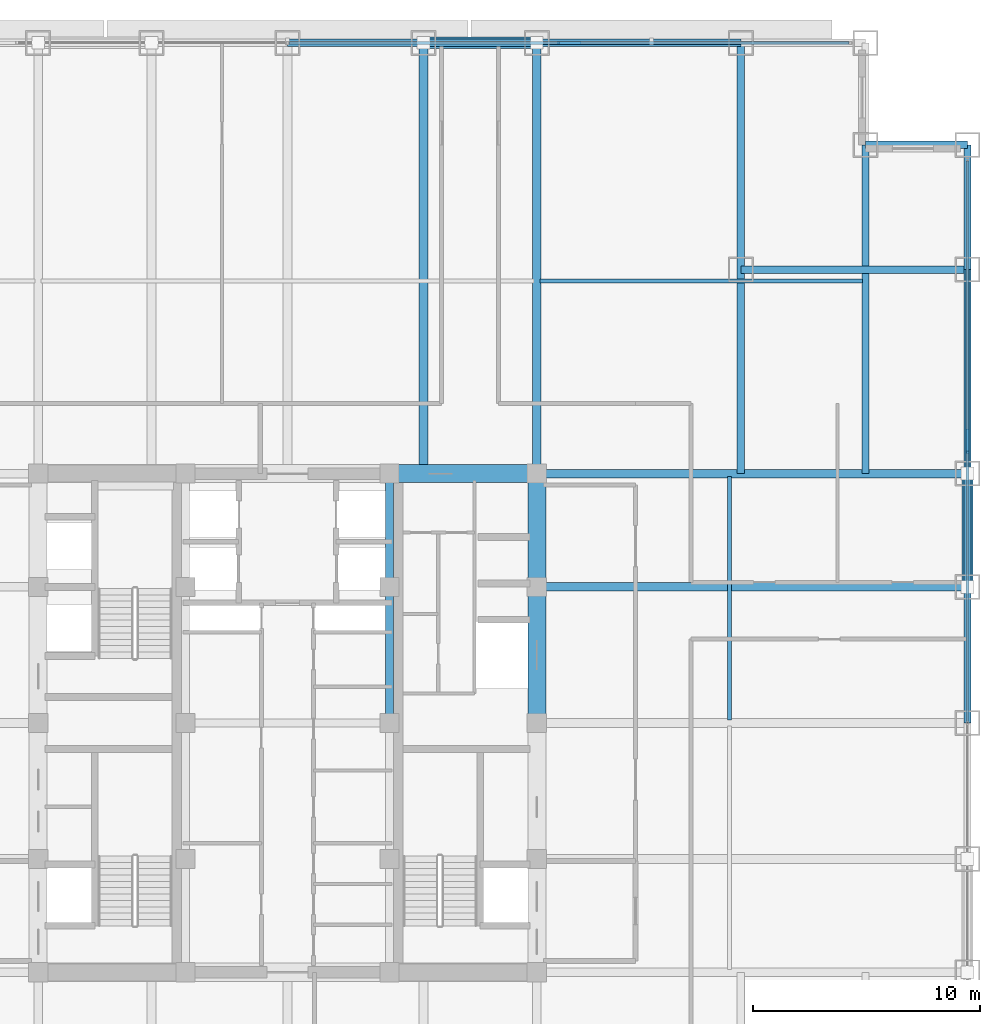
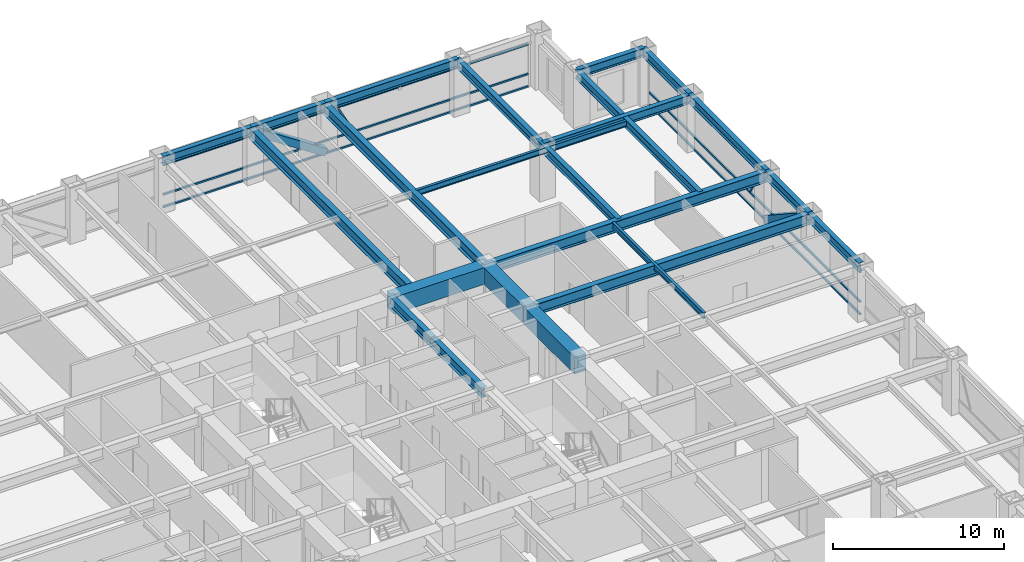
# One storey, part 17 of 28: 22 beams, 10 members, 2 elements without a shape of their own.
"""IFC4 building model written with IfcOpenShell, lengths in metres."""

from ifc_helpers import new_model, si_unit, direction, frame, origin, origin_2d, place, context, subcontext, project, spatial, rectangle, hollow_rectangle, i_section, extrude, source, transform, mapped, material, material_profile, profile_set, type_object, element, aggregate, save


model = new_model("IFC4")

# Units and contexts
model_context = context("Model", 3, precision=1e-05, world=origin(), true_north=direction((0.0, 1.0)))
body_context = subcontext(model_context, "Body", "Model", "MODEL_VIEW")
ifc_project = project(units=[si_unit("LENGTHUNIT", "METRE"), si_unit("AREAUNIT", "SQUARE_METRE"), si_unit("VOLUMEUNIT", "CUBIC_METRE"), si_unit("PLANEANGLEUNIT", "RADIAN"), si_unit("MASSUNIT", "GRAM", prefix="KILO")], contexts=[model_context])

# Site, building, storey
site_placement = place(None, origin())
site = spatial("IfcSite", under=ifc_project, at=site_placement, CompositionType="ELEMENT")
building_placement = place(site_placement, origin())
building = spatial("IfcBuilding", under=site, at=building_placement, Name="Khorayat Bourse Tower", CompositionType="ELEMENT")
storey_placement = place(building_placement, frame((0.0, 0.0, 191.10009765625)))
storey = spatial("IfcBuildingStorey", under=building, at=storey_placement, Name="L44", CompositionType="ELEMENT", Elevation=191.10009765625)

# Beams
ifc_material_1 = material(Name="Concrete C72/90", Category="concrete")
ifc_material_profile_1 = material_profile(ifc_material_1, rectangle(XDim=0.800048828125, YDim=1.199951171875, at=origin_2d()), Name="RC 800x1200")
ifc_profile_set_1 = profile_set([ifc_material_profile_1], Name="Concrete C72/90")
beam_type_1 = type_object("IfcBeamType", Name="BM-COUP-1200", PredefinedType="BEAM", material=ifc_profile_set_1)
shared_shape_1 = source(origin(), body_context, "Body", "SweptSolid", [
    extrude(rectangle(XDim=0.800048828125, YDim=1.199951171875, at=origin_2d()), origin(), (0.0, 0.0, 1.0), 5.0),
])
beam_1_placement = place(storey_placement, frame((11.0, 6.0, 3.179931640625), z_axis=(0.0, 1.0, 0.0), x_axis=(-1.0, 0.0, 0.0)))
element("IfcBeam", 1, at=beam_1_placement, inside=storey, type_object=beam_type_1, Name="L44 BM-COUP-1200 BM-L44-CRX-16", PredefinedType="BEAM", context=body_context, shape_type="MappedRepresentation", body=[
    mapped(shared_shape_1, transform((0.0, 0.0, 0.0), scale=1.0)),
])
shared_shape_2 = source(origin(), body_context, "Body", "SweptSolid", [
    extrude(rectangle(XDim=0.800048828125, YDim=1.199951171875, at=origin_2d()), origin(), (0.0, 0.0, 1.0), 6.0),
])
beam_2_placement = place(storey_placement, frame((11.0, 0.0, 3.179931640625), z_axis=(0.0, 1.0, 0.0), x_axis=(-1.0, 0.0, 0.0)))
element("IfcBeam", 2, at=beam_2_placement, inside=storey, type_object=beam_type_1, Name="L44 BM-COUP-1200 BM-L44-CRX-15", PredefinedType="BEAM", context=body_context, shape_type="MappedRepresentation", body=[
    mapped(shared_shape_2, transform((0.0, 0.0, 0.0), scale=1.0)),
])
ifc_material_2 = material(Name="Steel ASTM A992 Grade 50", Category="steel")
ifc_material_profile_2 = material_profile(ifc_material_2, i_section(OverallWidth=0.35498046875, OverallDepth=0.695068359375, WebThickness=0.015380859375, FlangeThickness=0.02490234375, FilletRadius=0.01806640625, at=origin_2d()), Name="W690X217")
ifc_profile_set_2 = profile_set([ifc_material_profile_2], Name="Steel ASTM A992 Grade 50")
beam_type_2 = type_object("IfcBeamType", Name="BM-GIRD-690", PredefinedType="BEAM", material=ifc_profile_set_2)
shared_shape_3 = source(origin(), body_context, "Body", "SweptSolid", [
    extrude(i_section(OverallWidth=0.35498046875, OverallDepth=0.695068359375, WebThickness=0.015380859375, FlangeThickness=0.02490234375, FilletRadius=0.01806640625, at=origin_2d()), origin(), (0.0, 0.0, 1.0), 5.0),
])
beam_3_placement = place(storey_placement, frame((4.5, 6.0, 3.432373046875), z_axis=(0.0, 1.0, 0.0), x_axis=(-1.0, 0.0, 0.0)))
element("IfcBeam", 3, at=beam_3_placement, inside=storey, type_object=beam_type_2, Name="L44 BM-GIRD-690 BM-L44-CRX-12", PredefinedType="BEAM", context=body_context, shape_type="MappedRepresentation", body=[
    mapped(shared_shape_3, transform((0.0, 0.0, 0.0), scale=1.0)),
])
shared_shape_4 = source(origin(), body_context, "Body", "SweptSolid", [
    extrude(i_section(OverallWidth=0.35498046875, OverallDepth=0.695068359375, WebThickness=0.015380859375, FlangeThickness=0.02490234375, FilletRadius=0.01806640625, at=origin_2d()), origin(), (0.0, 0.0, 1.0), 6.0),
])
beam_4_placement = place(storey_placement, frame((4.5, 0.0, 3.432373046875), z_axis=(0.0, 1.0, 0.0), x_axis=(-1.0, 0.0, 0.0)))
element("IfcBeam", 4, at=beam_4_placement, inside=storey, type_object=beam_type_2, Name="L44 BM-GIRD-690 BM-L44-CRX-11", PredefinedType="BEAM", context=body_context, shape_type="MappedRepresentation", body=[
    mapped(shared_shape_4, transform((0.0, 0.0, 0.0), scale=1.0)),
])
shared_shape_5 = source(origin(), body_context, "Body", "SweptSolid", [
    extrude(rectangle(XDim=0.800048828125, YDim=1.199951171875, at=origin_2d()), origin(), (0.0, 0.0, 1.0), 6.5),
])
beam_5_placement = place(storey_placement, frame((4.5, 11.0, 3.179931640625), z_axis=(1.0, 0.0, 0.0), x_axis=(0.0, 1.0, 0.0)))
element("IfcBeam", 5, at=beam_5_placement, inside=storey, type_object=beam_type_1, Name="L44 BM-COUP-1200 BM-L44-CRY-22", PredefinedType="BEAM", context=body_context, shape_type="MappedRepresentation", body=[
    mapped(shared_shape_5, transform((0.0, 0.0, 0.0), scale=1.0)),
])
ifc_material_profile_3 = material_profile(ifc_material_2, i_section(OverallWidth=0.381103515625, OverallDepth=0.77294921875, WebThickness=0.0166015625, FlangeThickness=0.027587890625, FilletRadius=0.01806640625, at=origin_2d()), Name="W760X257")
ifc_profile_set_3 = profile_set([ifc_material_profile_3], Name="Steel ASTM A992 Grade 50")
beam_type_3 = type_object("IfcBeamType", Name="BM-GIRD-760", PredefinedType="BEAM", material=ifc_profile_set_3)
shared_shape_6 = source(origin(), body_context, "Body", "SweptSolid", [
    extrude(i_section(OverallWidth=0.381103515625, OverallDepth=0.77294921875, WebThickness=0.0166015625, FlangeThickness=0.027587890625, FilletRadius=0.01806640625, at=origin_2d()), origin(), (0.0, 0.0, 1.0), 19.0),
])
for number, where, z_axis, x_axis, name in (
    (6, (6.0, 11.0, 3.393310546875), (0.0, 1.0, 0.0), (-1.0, 0.0, 0.0), "L44 BM-GIRD-760 BM-L44-RADY-070"),
    (7, (11.0, 11.0, 3.393310546875), (0.0, 1.0, 0.0), (-1.0, 0.0, 0.0), "L44 BM-GIRD-760 BM-L44-RADY-072"),
    (8, (11.0, 6.0, 3.393310546875), (1.0, 0.0, 0.0), (0.0, 1.0, 0.0), "L44 BM-GIRD-760 BM-L44-RADX-080"),
    (9, (11.0, 11.0, 3.393310546875), (1.0, 0.0, 0.0), (0.0, 1.0, 0.0), "L44 BM-GIRD-760 BM-L44-RADX-082"),
):
    element("IfcBeam", number, at=place(storey_placement, frame(where, z_axis=z_axis, x_axis=x_axis)), inside=storey, type_object=beam_type_3, Name=name, PredefinedType="BEAM", context=body_context, shape_type="MappedRepresentation", body=[
        mapped(shared_shape_6, transform((0.0, 0.0, 0.0), scale=1.0)),
    ])
ifc_material_profile_4 = material_profile(ifc_material_2, i_section(OverallWidth=0.324951171875, OverallDepth=0.615966796875, WebThickness=0.013916015625, FlangeThickness=0.021484375, FilletRadius=0.01611328125, at=origin_2d()), Name="W610X174")
ifc_profile_set_4 = profile_set([ifc_material_profile_4], Name="Steel ASTM A992 Grade 50")
beam_type_4 = type_object("IfcBeamType", Name="BM-GIRD-610", PredefinedType="BEAM", material=ifc_profile_set_4)
shared_shape_7 = source(origin(), body_context, "Body", "SweptSolid", [
    extrude(i_section(OverallWidth=0.324951171875, OverallDepth=0.615966796875, WebThickness=0.013916015625, FlangeThickness=0.021484375, FilletRadius=0.01611328125, at=origin_2d()), origin(), (0.0, 0.0, 1.0), 19.0),
])
beam_6_placement = place(storey_placement, frame((20.0, 11.0, 3.471923828125), z_axis=(0.0, 1.0, 0.0), x_axis=(-1.0, 0.0, 0.0)))
element("IfcBeam", 10, at=beam_6_placement, inside=storey, type_object=beam_type_4, Name="L44 BM-GIRD-610 BM-L44-CNRY-087", PredefinedType="BEAM", context=body_context, shape_type="MappedRepresentation", body=[
    mapped(shared_shape_7, transform((0.0, 0.0, 0.0), scale=1.0)),
])
shared_shape_8 = source(origin(), body_context, "Body", "SweptSolid", [
    extrude(i_section(OverallWidth=0.324951171875, OverallDepth=0.615966796875, WebThickness=0.013916015625, FlangeThickness=0.021484375, FilletRadius=0.01611328125, at=origin_2d()), origin(), (0.0, 0.0, 1.0), 14.5),
])
beam_7_placement = place(storey_placement, frame((25.5, 11.0, 3.471923828125), z_axis=(0.0, 1.0, 0.0), x_axis=(-1.0, 0.0, 0.0)))
element("IfcBeam", 11, at=beam_7_placement, inside=storey, type_object=beam_type_4, Name="L44 BM-GIRD-610 BM-L44-CNRY-091", PredefinedType="BEAM", context=body_context, shape_type="MappedRepresentation", body=[
    mapped(shared_shape_8, transform((0.0, 0.0, 0.0), scale=1.0)),
])
shared_shape_9 = source(origin(), body_context, "Body", "SweptSolid", [
    extrude(i_section(OverallWidth=0.324951171875, OverallDepth=0.615966796875, WebThickness=0.013916015625, FlangeThickness=0.021484375, FilletRadius=0.01611328125, at=origin_2d()), origin(), (0.0, 0.0, 1.0), 10.0),
])
beam_8_placement = place(storey_placement, frame((20.0, 20.0, 3.471923828125), z_axis=(1.0, 0.0, 0.0), x_axis=(0.0, 1.0, 0.0)))
element("IfcBeam", 12, at=beam_8_placement, inside=storey, type_object=beam_type_4, Name="L44 BM-GIRD-610 BM-L44-CNRX-094", PredefinedType="BEAM", context=body_context, shape_type="MappedRepresentation", body=[
    mapped(shared_shape_9, transform((0.0, 0.0, 0.0), scale=1.0)),
])
ifc_material_profile_5 = material_profile(ifc_material_2, i_section(OverallWidth=0.180908203125, OverallDepth=0.4169921875, WebThickness=0.010986328125, FlangeThickness=0.018310546875, FilletRadius=0.011962890625, at=origin_2d()), Name="W410X85")
ifc_profile_set_5 = profile_set([ifc_material_profile_5], Name="Steel ASTM A992 Grade 50")
beam_type_5 = type_object("IfcBeamType", Name="BM-JOIST-410", PredefinedType="JOIST", material=ifc_profile_set_5)
shared_shape_10 = source(origin(), body_context, "Body", "SweptSolid", [
    extrude(i_section(OverallWidth=0.180908203125, OverallDepth=0.4169921875, WebThickness=0.010986328125, FlangeThickness=0.018310546875, FilletRadius=0.011962890625, at=origin_2d()), origin(), (0.0, 0.0, 1.0), 14.240234375),
])
beam_9_placement = place(storey_placement, frame((11.1298828125, 19.5, 3.5712890625), z_axis=(1.0, 0.0, 0.0), x_axis=(0.0, 1.0, 0.0)))
element("IfcBeam", 13, at=beam_9_placement, inside=storey, type_object=beam_type_5, Name="L44 BM-JOIST-410 BM-L44-JSTX-101", PredefinedType="JOIST", context=body_context, shape_type="MappedRepresentation", body=[
    mapped(shared_shape_10, transform((0.0, 0.0, 0.0), scale=1.0)),
])
shared_shape_11 = source(origin(), body_context, "Body", "SweptSolid", [
    extrude(i_section(OverallWidth=0.180908203125, OverallDepth=0.4169921875, WebThickness=0.010986328125, FlangeThickness=0.018310546875, FilletRadius=0.011962890625, at=origin_2d()), origin(), (0.0, 0.0, 1.0), 10.740234375),
])
beam_10_placement = place(storey_placement, frame((19.5, 0.1298828125, 3.5712890625), z_axis=(0.0, 1.0, 0.0), x_axis=(-1.0, 0.0, 0.0)))
element("IfcBeam", 14, at=beam_10_placement, inside=storey, type_object=beam_type_5, Name="L44 BM-JOIST-410 BM-L44-JSTY-105", PredefinedType="JOIST", context=body_context, shape_type="MappedRepresentation", body=[
    mapped(shared_shape_11, transform((0.0, 0.0, 0.0), scale=1.0)),
])
ifc_material_profile_6 = material_profile(ifc_material_2, i_section(OverallWidth=0.324951171875, OverallDepth=0.615966796875, WebThickness=0.013916015625, FlangeThickness=0.021484375, FilletRadius=0.01611328125, at=origin_2d()), Name="W610X174")
ifc_profile_set_6 = profile_set([ifc_material_profile_6], Name="Steel ASTM A992 Grade 50")
beam_type_6 = type_object("IfcBeamType", Name="BM-SPAN-610", PredefinedType="SPANDREL", material=ifc_profile_set_6)
shared_shape_12 = source(origin(), body_context, "Body", "SweptSolid", [
    extrude(i_section(OverallWidth=0.324951171875, OverallDepth=0.615966796875, WebThickness=0.013916015625, FlangeThickness=0.021484375, FilletRadius=0.01611328125, at=origin_2d()), origin(), (0.0, 0.0, 1.0), 5.5),
])
beam_11_placement = place(storey_placement, frame((30.0, 20.0, 3.471923828125), z_axis=(0.0, 1.0, 0.0), x_axis=(-1.0, 0.0, 0.0)))
element("IfcBeam", 15, at=beam_11_placement, inside=storey, type_object=beam_type_6, Name="L44 BM-SPAN-610 BM-L44-SPN-041", PredefinedType="SPANDREL", context=body_context, shape_type="MappedRepresentation", body=[
    mapped(shared_shape_12, transform((0.0, 0.0, 0.0), scale=1.0)),
])
shared_shape_13 = source(origin(), body_context, "Body", "SweptSolid", [
    extrude(i_section(OverallWidth=0.324951171875, OverallDepth=0.615966796875, WebThickness=0.013916015625, FlangeThickness=0.021484375, FilletRadius=0.01611328125, at=origin_2d()), origin(), (0.0, 0.0, 1.0), 9.0),
])
for number, where, z_axis, x_axis, name in (
    (16, (30.0, 11.0, 3.471923828125), (0.0, 1.0, 0.0), (-1.0, 0.0, 0.0), "L44 BM-SPAN-610 BM-L44-SPN-040"),
    (17, (11.0, 30.0, 3.471923828125), (1.0, 0.0, 0.0), (0.0, 1.0, 0.0), "L44 BM-SPAN-610 BM-L44-SPN-045"),
):
    element("IfcBeam", number, at=place(storey_placement, frame(where, z_axis=z_axis, x_axis=x_axis)), inside=storey, type_object=beam_type_6, Name=name, PredefinedType="SPANDREL", context=body_context, shape_type="MappedRepresentation", body=[
        mapped(shared_shape_13, transform((0.0, 0.0, 0.0), scale=1.0)),
    ])
shared_shape_14 = source(origin(), body_context, "Body", "SweptSolid", [
    extrude(i_section(OverallWidth=0.324951171875, OverallDepth=0.615966796875, WebThickness=0.013916015625, FlangeThickness=0.021484375, FilletRadius=0.01611328125, at=origin_2d()), origin(), (0.0, 0.0, 1.0), 5.0),
])
for number, where, z_axis, x_axis, name in (
    (18, (30.0, 6.0, 3.471923828125), (0.0, 1.0, 0.0), (-1.0, 0.0, 0.0), "L44 BM-SPAN-610 BM-L44-SPN-039"),
    (19, (6.0, 30.0, 3.471923828125), (1.0, 0.0, 0.0), (0.0, 1.0, 0.0), "L44 BM-SPAN-610 BM-L44-SPN-046"),
):
    element("IfcBeam", number, at=place(storey_placement, frame(where, z_axis=z_axis, x_axis=x_axis)), inside=storey, type_object=beam_type_6, Name=name, PredefinedType="SPANDREL", context=body_context, shape_type="MappedRepresentation", body=[
        mapped(shared_shape_14, transform((0.0, 0.0, 0.0), scale=1.0)),
    ])
shared_shape_15 = source(origin(), body_context, "Body", "SweptSolid", [
    extrude(i_section(OverallWidth=0.324951171875, OverallDepth=0.615966796875, WebThickness=0.013916015625, FlangeThickness=0.021484375, FilletRadius=0.01611328125, at=origin_2d()), origin(), (0.0, 0.0, 1.0), 6.0),
])
for number, where, z_axis, x_axis, name in (
    (20, (30.0, 0.0, 3.471923828125), (0.0, 1.0, 0.0), (-1.0, 0.0, 0.0), "L44 BM-SPAN-610 BM-L44-SPN-038"),
    (21, (0.0, 30.0, 3.471923828125), (1.0, 0.0, 0.0), (0.0, 1.0, 0.0), "L44 BM-SPAN-610 BM-L44-SPN-047"),
):
    element("IfcBeam", number, at=place(storey_placement, frame(where, z_axis=z_axis, x_axis=x_axis)), inside=storey, type_object=beam_type_6, Name=name, PredefinedType="SPANDREL", context=body_context, shape_type="MappedRepresentation", body=[
        mapped(shared_shape_15, transform((0.0, 0.0, 0.0), scale=1.0)),
    ])
shared_shape_16 = source(origin(), body_context, "Body", "SweptSolid", [
    extrude(i_section(OverallWidth=0.324951171875, OverallDepth=0.615966796875, WebThickness=0.013916015625, FlangeThickness=0.021484375, FilletRadius=0.01611328125, at=origin_2d()), origin(), (0.0, 0.0, 1.0), 4.5),
])
beam_12_placement = place(storey_placement, frame((25.5, 25.5, 3.471923828125), z_axis=(1.0, 0.0, 0.0), x_axis=(0.0, 1.0, 0.0)))
element("IfcBeam", 22, at=beam_12_placement, inside=storey, type_object=beam_type_6, Name="L44 BM-SPAN-610 BM-L44-SPN-042", PredefinedType="SPANDREL", context=body_context, shape_type="MappedRepresentation", body=[
    mapped(shared_shape_16, transform((0.0, 0.0, 0.0), scale=1.0)),
])

# Members
ifc_material_3 = material(Name="Steel EN 10025-4 S460M", Category="steel")
ifc_material_profile_7 = material_profile(ifc_material_3, hollow_rectangle(XDim=0.5, YDim=0.5, WallThickness=0.028076171875, at=origin_2d()), Name="HSS 500x500x28")
ifc_profile_set_7 = profile_set([ifc_material_profile_7], Name="Steel EN 10025-4 S460M")
member_type_1 = type_object("IfcMemberType", Name="MBR-TUBE-500", PredefinedType="BRACE", material=ifc_profile_set_7)
shared_shape_17 = source(origin(), body_context, "Body", "SweptSolid", [
    extrude(hollow_rectangle(XDim=0.5, YDim=0.5, WallThickness=0.028076171875, at=origin_2d()), origin(), (0.0, 0.0, 1.0), 5.979736328125),
])
for number, where, z_axis, x_axis, name in (
    (23, (6.0, 30.0, 3.52978515625), (0.836160261256, 0.0, -0.548485202623), (0.0, 1.0, 0.0), "L44 Perimeter Tube Brace 04"),
    (24, (30.0, 6.0, 3.52978515625), (0.0, 0.836160261256, -0.548485202623), (-1.0, 0.0, 0.0), "L44 Perimeter Tube Brace 08"),
):
    element("IfcMember", number, at=place(storey_placement, frame(where, z_axis=z_axis, x_axis=x_axis)), inside=storey, type_object=member_type_1, Name=name, PredefinedType="BRACE", context=body_context, shape_type="MappedRepresentation", body=[
        mapped(shared_shape_17, transform((0.0, 0.0, 0.0), scale=1.0)),
    ])

# Curtain wall, member
ifc_material_4 = material(Name="Aluminium EN AW-6063 T6", Category="aluminium")
curtain_wall_type = type_object("IfcCurtainWallType", Name="CW-SYS-03", PredefinedType="NOTDEFINED", material=ifc_material_4)
curtain_wall_1_placement = place(storey_placement, origin())
curtain_wall_1 = element("IfcCurtainWall", 25, at=curtain_wall_1_placement, inside=storey, type_object=curtain_wall_type, Name="L44 Curtain Wall CW-L44-N1", PredefinedType="NOTDEFINED")
ifc_material_profile_8 = material_profile(ifc_material_4, hollow_rectangle(XDim=0.1201171875, YDim=0.1201171875, WallThickness=0.0048828125, at=origin_2d()), Name="ALU 120x120x5")
ifc_profile_set_8 = profile_set([ifc_material_profile_8], Name="Aluminium EN AW-6063 T6")
member_type_2 = type_object("IfcMemberType", Name="CWM-DIAG-120", PredefinedType="MULLION", material=ifc_profile_set_8)
shared_shape_18 = source(origin(), body_context, "Body", "SweptSolid", [
    extrude(hollow_rectangle(XDim=0.1201171875, YDim=0.1201171875, WallThickness=0.0048828125, at=origin_2d()), origin(), (0.0, 0.0, 1.0), 2.079345703125),
])
member_1_placement = place(storey_placement, frame((12.904296875, 30.0, 1.08984375), z_axis=(-0.465760949701, 0.0, 0.884910581773), x_axis=(0.0, -1.0, 0.0)))
member_1 = element("IfcMember", 26, at=member_1_placement, type_object=member_type_2, Name="CW-L44-N1 Faceted Diagonal Mullion 2", PredefinedType="MULLION", context=body_context, shape_type="MappedRepresentation", body=[
    mapped(shared_shape_18, transform((0.0, 0.0, 0.0), scale=1.0)),
])

curtain_wall_2_placement = place(storey_placement, origin())
curtain_wall_2 = element("IfcCurtainWall", 27, at=curtain_wall_2_placement, inside=storey, type_object=curtain_wall_type, Name="L44 Curtain Wall CW-L44-E1", PredefinedType="NOTDEFINED")
member_2_placement = place(storey_placement, frame((30.0, 12.904296875, 1.08984375), z_axis=(0.0, -0.465760949701, 0.884910581773), x_axis=(1.0, 0.0, 0.0)))
member_2 = element("IfcMember", 28, at=member_2_placement, type_object=member_type_2, Name="CW-L44-E1 Faceted Diagonal Mullion 2", PredefinedType="MULLION", context=body_context, shape_type="MappedRepresentation", body=[
    mapped(shared_shape_18, transform((0.0, 0.0, 0.0), scale=1.0)),
])

# Member
ifc_material_profile_9 = material_profile(ifc_material_4, hollow_rectangle(XDim=0.1201171875, YDim=0.1201171875, WallThickness=0.0048828125, at=origin_2d()), Name="ALU 120x120x5")
ifc_profile_set_9 = profile_set([ifc_material_profile_9], Name="Aluminium EN AW-6063 T6")
member_type_3 = type_object("IfcMemberType", Name="CWT-HORZ-120", PredefinedType="USERDEFINED", material=ifc_profile_set_9)
shared_shape_19 = source(origin(), body_context, "Body", "SweptSolid", [
    extrude(hollow_rectangle(XDim=0.1201171875, YDim=0.1201171875, WallThickness=0.0048828125, at=origin_2d()), origin(), (0.0, 0.0, 1.0), 24.719970703125),
])
member_3_placement = place(storey_placement, frame((0.06005859375, 30.0, 0.059814453125), z_axis=(1.0, 0.0, 0.0), x_axis=(0.0, 1.0, 0.0)))
member_3 = element("IfcMember", 29, at=member_3_placement, type_object=member_type_3, Name="CW-L44-N1 Horizontal Transom 2-1", ObjectType="TRANSOM", PredefinedType="USERDEFINED", context=body_context, shape_type="MappedRepresentation", body=[
    mapped(shared_shape_19, transform((0.0, 0.0, 0.0), scale=1.0)),
])

member_4_placement = place(storey_placement, frame((0.06005859375, 30.0, 0.949951171875), z_axis=(1.0, 0.0, 0.0), x_axis=(0.0, 1.0, 0.0)))
member_4 = element("IfcMember", 30, at=member_4_placement, type_object=member_type_3, Name="CW-L44-N1 Horizontal Transom 2-2", ObjectType="TRANSOM", PredefinedType="USERDEFINED", context=body_context, shape_type="MappedRepresentation", body=[
    mapped(shared_shape_19, transform((0.0, 0.0, 0.0), scale=1.0)),
])

member_5_placement = place(storey_placement, frame((0.06005859375, 30.0, 3.06982421875), z_axis=(1.0, 0.0, 0.0), x_axis=(0.0, 1.0, 0.0)))
member_5 = element("IfcMember", 31, at=member_5_placement, type_object=member_type_3, Name="CW-L44-N1 Horizontal Transom 2-3", ObjectType="TRANSOM", PredefinedType="USERDEFINED", context=body_context, shape_type="MappedRepresentation", body=[
    mapped(shared_shape_19, transform((0.0, 0.0, 0.0), scale=1.0)),
])

aggregate(curtain_wall_1, [member_3, member_4, member_5, member_1])

member_6_placement = place(storey_placement, frame((30.0, 0.06005859375, 0.059814453125), z_axis=(0.0, 1.0, 0.0), x_axis=(-1.0, 0.0, 0.0)))
member_6 = element("IfcMember", 32, at=member_6_placement, type_object=member_type_3, Name="CW-L44-E1 Horizontal Transom 2-1", ObjectType="TRANSOM", PredefinedType="USERDEFINED", context=body_context, shape_type="MappedRepresentation", body=[
    mapped(shared_shape_19, transform((0.0, 0.0, 0.0), scale=1.0)),
])

member_7_placement = place(storey_placement, frame((30.0, 0.06005859375, 0.949951171875), z_axis=(0.0, 1.0, 0.0), x_axis=(-1.0, 0.0, 0.0)))
member_7 = element("IfcMember", 33, at=member_7_placement, type_object=member_type_3, Name="CW-L44-E1 Horizontal Transom 2-2", ObjectType="TRANSOM", PredefinedType="USERDEFINED", context=body_context, shape_type="MappedRepresentation", body=[
    mapped(shared_shape_19, transform((0.0, 0.0, 0.0), scale=1.0)),
])

member_8_placement = place(storey_placement, frame((30.0, 0.06005859375, 3.06982421875), z_axis=(0.0, 1.0, 0.0), x_axis=(-1.0, 0.0, 0.0)))
member_8 = element("IfcMember", 34, at=member_8_placement, type_object=member_type_3, Name="CW-L44-E1 Horizontal Transom 2-3", ObjectType="TRANSOM", PredefinedType="USERDEFINED", context=body_context, shape_type="MappedRepresentation", body=[
    mapped(shared_shape_19, transform((0.0, 0.0, 0.0), scale=1.0)),
])

aggregate(curtain_wall_2, [member_6, member_7, member_8, member_2])

save(model, "model.ifc")
